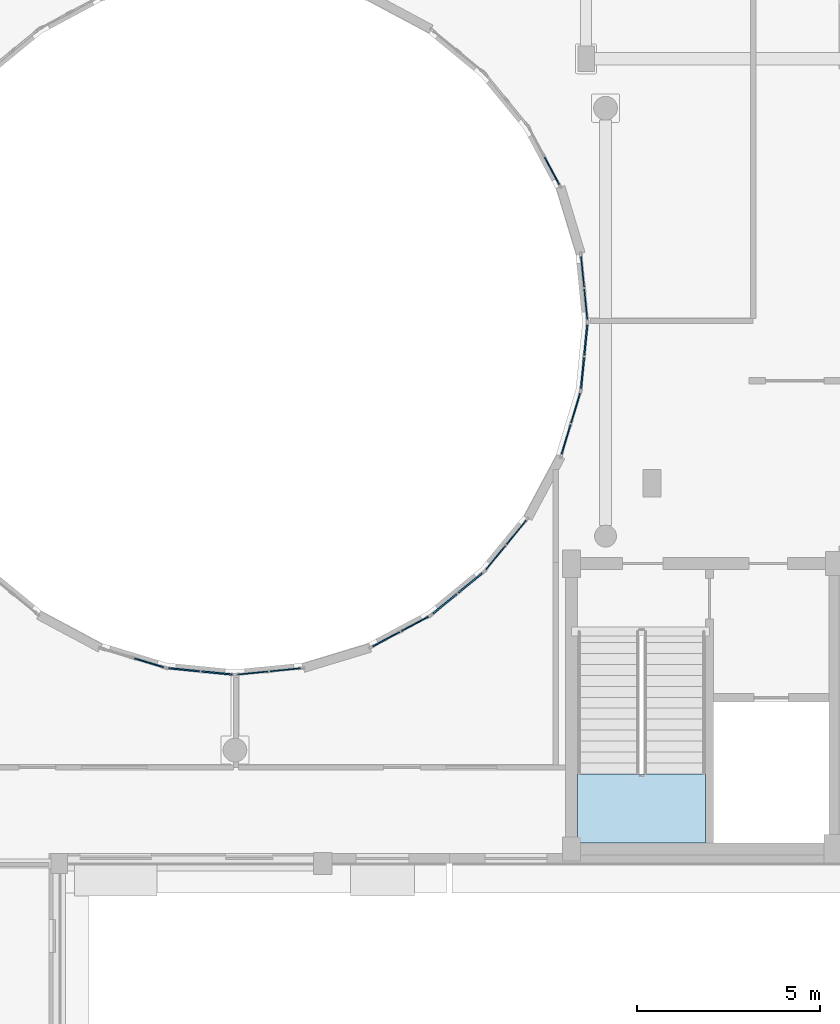
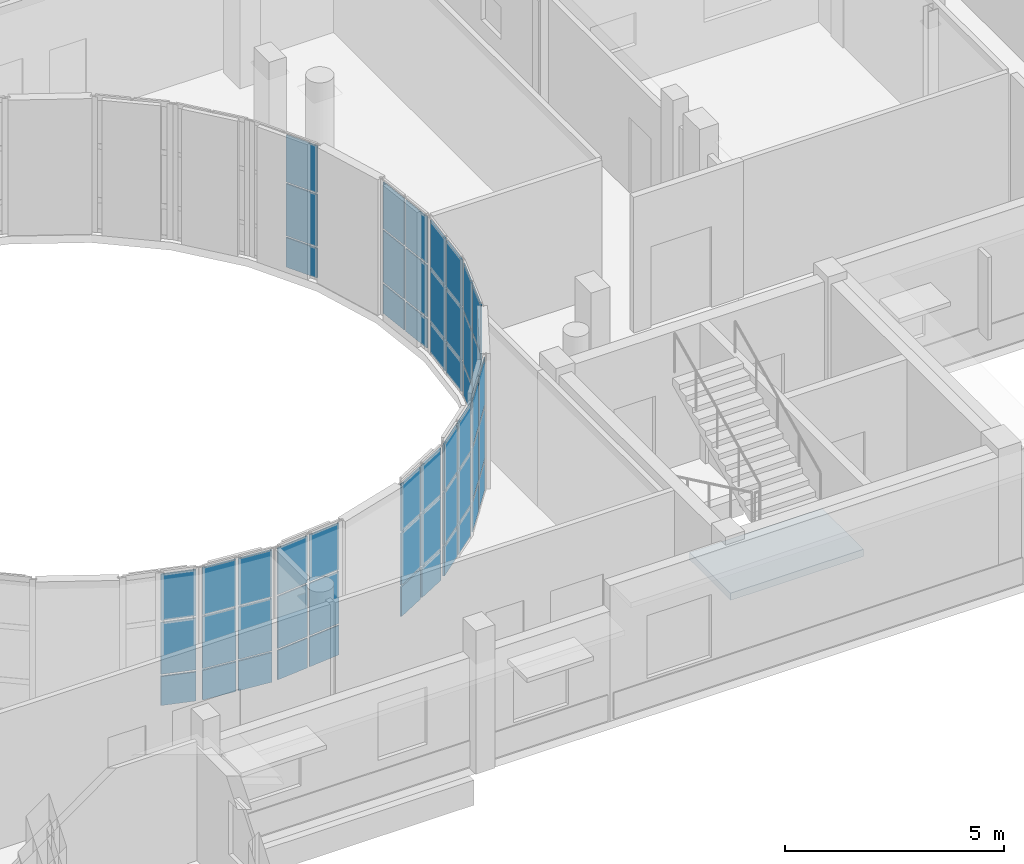
# One storey, part 68 of 105: 54 plates, 1 slab, 11 elements without a shape of their own.
"""IFC4 building model written with IfcOpenShell, lengths in metres."""

from ifc_helpers import new_model, si_unit, direction, frame, origin, origin_2d, place, context, subcontext, project, spatial, polyline, rectangle, outline, extrude, material, layer, layer_set, type_object, element, aggregate, save


model = new_model("IFC4")

# Units and contexts
model_context = context("Model", 3, precision=1e-05, world=origin(), true_north=direction((0.0, 1.0)))
body_context = subcontext(model_context, "Body", "Model", "MODEL_VIEW")
ifc_project = project(units=[si_unit("LENGTHUNIT", "METRE"), si_unit("AREAUNIT", "SQUARE_METRE"), si_unit("VOLUMEUNIT", "CUBIC_METRE"), si_unit("PLANEANGLEUNIT", "RADIAN"), si_unit("MASSUNIT", "GRAM", prefix="KILO")], contexts=[model_context])

# Site, building, storey
site_placement = place(None, origin())
site = spatial("IfcSite", under=ifc_project, at=site_placement, CompositionType="ELEMENT")
building_placement = place(site_placement, origin())
building = spatial("IfcBuilding", under=site, at=building_placement, Name="Kelanivale Promenade Academy", CompositionType="ELEMENT")
storey_placement = place(building_placement, frame((0.0, 0.0, 4.199951171875)))
storey = spatial("IfcBuildingStorey", under=building, at=storey_placement, Name="L01", CompositionType="ELEMENT", Elevation=4.199951171875)

# Curtain wall, plates
ifc_material_1 = material(Name="Bronze anodised aluminium and solar-control low-E glass", Category="aluminium")
ifc_layer_1 = layer(ifc_material_1, 0.169921875)
ifc_layer_set_1 = layer_set([ifc_layer_1], Name="Bronze anodised aluminium and solar-control low-E glass")
curtain_wall_type_1 = type_object("IfcCurtainWallType", Name="CW-22 Curtain Wall 1800mm Module", PredefinedType="USERDEFINED", material=ifc_layer_set_1)
curtain_wall_1_placement = place(storey_placement, origin())
curtain_wall_1 = element("IfcCurtainWall", 1, at=curtain_wall_1_placement, inside=storey, type_object=curtain_wall_type_1, Name="L01 courtyard curtain wall CW-22", ObjectType="COURTYARD SCREEN GLAZING", PredefinedType="USERDEFINED")
ifc_material_2 = material(Name="Solar-control double glazing 28 mm", Category="glass")
ifc_layer_2 = layer(ifc_material_2, 0.028076171875)
ifc_layer_set_2 = layer_set([ifc_layer_2], Name="Solar-control double glazing 28 mm")
plate_type_1 = type_object("IfcPlateType", Name="CWP-01 Plate 28mm", PredefinedType="CURTAIN_PANEL", material=ifc_layer_set_2)
plate_1_placement = place(storey_placement, frame((99.288330078125, 47.2080078125, 0.05029296875), z_axis=(0.0, 0.0, 1.0), x_axis=(0.99513321337, 0.098538762159, 0.0)))
plate_1 = element("IfcPlate", 2, at=plate_1_placement, type_object=plate_type_1, Name="CW-22 panel 1.1", PredefinedType="CURTAIN_PANEL", context=body_context, shape_type="SweptSolid", body=[
    extrude(rectangle(XDim=0.83349609375, YDim=0.028076171875, at=origin_2d()), origin(), (0.0, 0.0, 1.0), 0.824951171875),
])
plate_2_placement = place(storey_placement, frame((99.288330078125, 47.2080078125, 0.92529296875), z_axis=(0.0, 0.0, 1.0), x_axis=(0.99513321337, 0.098538762159, 0.0)))
plate_2 = element("IfcPlate", 3, at=plate_2_placement, type_object=plate_type_1, Name="CW-22 panel 1.2", PredefinedType="CURTAIN_PANEL", context=body_context, shape_type="SweptSolid", body=[
    extrude(rectangle(XDim=0.83349609375, YDim=0.028076171875, at=origin_2d()), origin(), (0.0, 0.0, 1.0), 1.449951171875),
])
plate_3_placement = place(storey_placement, frame((99.288330078125, 47.2080078125, 2.42529296875), z_axis=(0.0, 0.0, 1.0), x_axis=(0.99513321337, 0.098538762159, 0.0)))
plate_3 = element("IfcPlate", 4, at=plate_3_placement, type_object=plate_type_1, Name="CW-22 panel 1.3", PredefinedType="CURTAIN_PANEL", context=body_context, shape_type="SweptSolid", body=[
    extrude(rectangle(XDim=0.83349609375, YDim=0.028076171875, at=origin_2d()), origin(), (0.0, 0.0, 1.0), 1.304931640625),
])
plate_4_placement = place(storey_placement, frame((100.177490234375, 47.296142578125, 0.05029296875), z_axis=(0.0, 0.0, 1.0), x_axis=(0.99513321337, 0.098538762159, 0.0)))
plate_4 = element("IfcPlate", 5, at=plate_4_placement, type_object=plate_type_1, Name="CW-22 panel 2.1", PredefinedType="CURTAIN_PANEL", context=body_context, shape_type="SweptSolid", body=[
    extrude(rectangle(XDim=0.83349609375, YDim=0.028076171875, at=origin_2d()), origin(), (0.0, 0.0, 1.0), 0.824951171875),
])
plate_5_placement = place(storey_placement, frame((100.177490234375, 47.296142578125, 0.92529296875), z_axis=(0.0, 0.0, 1.0), x_axis=(0.99513321337, 0.098538762159, 0.0)))
plate_5 = element("IfcPlate", 6, at=plate_5_placement, type_object=plate_type_1, Name="CW-22 panel 2.2", PredefinedType="CURTAIN_PANEL", context=body_context, shape_type="SweptSolid", body=[
    extrude(rectangle(XDim=0.83349609375, YDim=0.028076171875, at=origin_2d()), origin(), (0.0, 0.0, 1.0), 1.449951171875),
])
plate_6_placement = place(storey_placement, frame((100.177490234375, 47.296142578125, 2.42529296875), z_axis=(0.0, 0.0, 1.0), x_axis=(0.99513321337, 0.098538762159, 0.0)))
plate_6 = element("IfcPlate", 7, at=plate_6_placement, type_object=plate_type_1, Name="CW-22 panel 2.3", PredefinedType="CURTAIN_PANEL", context=body_context, shape_type="SweptSolid", body=[
    extrude(rectangle(XDim=0.83349609375, YDim=0.028076171875, at=origin_2d()), origin(), (0.0, 0.0, 1.0), 1.304931640625),
])
aggregate(curtain_wall_1, [plate_1, plate_2, plate_3, plate_4, plate_5, plate_6])

ifc_layer_3 = layer(ifc_material_1, 0.169921875)
ifc_layer_set_3 = layer_set([ifc_layer_3], Name="Bronze anodised aluminium and solar-control low-E glass")
curtain_wall_type_2 = type_object("IfcCurtainWallType", Name="CW-01 Curtain Wall 1350mm Module", PredefinedType="USERDEFINED", material=ifc_layer_set_3)
curtain_wall_2_placement = place(storey_placement, origin())
curtain_wall_2 = element("IfcCurtainWall", 8, at=curtain_wall_2_placement, inside=storey, type_object=curtain_wall_type_2, Name="L01 courtyard curtain wall CW-01", ObjectType="UNITISED GLAZING", PredefinedType="USERDEFINED")
plate_7_placement = place(storey_placement, frame((105.92822265625, 50.361572265625, 0.05029296875), z_axis=(0.0, 0.0, 1.0), x_axis=(0.634092539482, 0.773257170269, 0.0)))
plate_7 = element("IfcPlate", 9, at=plate_7_placement, type_object=plate_type_1, Name="CW-01 panel 1.1", PredefinedType="CURTAIN_PANEL", context=body_context, shape_type="SweptSolid", body=[
    extrude(rectangle(XDim=0.833251953125, YDim=0.028076171875, at=origin_2d()), origin(), (0.0, 0.0, 1.0), 0.824951171875),
])
plate_8_placement = place(storey_placement, frame((105.92822265625, 50.361572265625, 0.92529296875), z_axis=(0.0, 0.0, 1.0), x_axis=(0.634092539482, 0.773257170269, 0.0)))
plate_8 = element("IfcPlate", 10, at=plate_8_placement, type_object=plate_type_1, Name="CW-01 panel 1.2", PredefinedType="CURTAIN_PANEL", context=body_context, shape_type="SweptSolid", body=[
    extrude(rectangle(XDim=0.833251953125, YDim=0.028076171875, at=origin_2d()), origin(), (0.0, 0.0, 1.0), 1.449951171875),
])
plate_9_placement = place(storey_placement, frame((105.92822265625, 50.361572265625, 2.42529296875), z_axis=(0.0, 0.0, 1.0), x_axis=(0.634092539482, 0.773257170269, 0.0)))
plate_9 = element("IfcPlate", 11, at=plate_9_placement, type_object=plate_type_1, Name="CW-01 panel 1.3", PredefinedType="CURTAIN_PANEL", context=body_context, shape_type="SweptSolid", body=[
    extrude(rectangle(XDim=0.833251953125, YDim=0.028076171875, at=origin_2d()), origin(), (0.0, 0.0, 1.0), 1.304931640625),
])
plate_10_placement = place(storey_placement, frame((106.49462890625, 51.052490234375, 0.05029296875), z_axis=(0.0, 0.0, 1.0), x_axis=(0.634092539482, 0.773257170269, 0.0)))
plate_10 = element("IfcPlate", 12, at=plate_10_placement, type_object=plate_type_1, Name="CW-01 panel 2.1", PredefinedType="CURTAIN_PANEL", context=body_context, shape_type="SweptSolid", body=[
    extrude(rectangle(XDim=0.833251953125, YDim=0.028076171875, at=origin_2d()), origin(), (0.0, 0.0, 1.0), 0.824951171875),
])
plate_11_placement = place(storey_placement, frame((106.49462890625, 51.052490234375, 0.92529296875), z_axis=(0.0, 0.0, 1.0), x_axis=(0.634092539482, 0.773257170269, 0.0)))
plate_11 = element("IfcPlate", 13, at=plate_11_placement, type_object=plate_type_1, Name="CW-01 panel 2.2", PredefinedType="CURTAIN_PANEL", context=body_context, shape_type="SweptSolid", body=[
    extrude(rectangle(XDim=0.833251953125, YDim=0.028076171875, at=origin_2d()), origin(), (0.0, 0.0, 1.0), 1.449951171875),
])
plate_12_placement = place(storey_placement, frame((106.49462890625, 51.052490234375, 2.42529296875), z_axis=(0.0, 0.0, 1.0), x_axis=(0.634092539482, 0.773257170269, 0.0)))
plate_12 = element("IfcPlate", 14, at=plate_12_placement, type_object=plate_type_1, Name="CW-01 panel 2.3", PredefinedType="CURTAIN_PANEL", context=body_context, shape_type="SweptSolid", body=[
    extrude(rectangle(XDim=0.833251953125, YDim=0.028076171875, at=origin_2d()), origin(), (0.0, 0.0, 1.0), 1.304931640625),
])
aggregate(curtain_wall_2, [plate_7, plate_8, plate_9, plate_10, plate_11, plate_12])

ifc_layer_4 = layer(ifc_material_1, 0.169921875)
ifc_layer_set_4 = layer_set([ifc_layer_4], Name="Bronze anodised aluminium and solar-control low-E glass")
curtain_wall_type_3 = type_object("IfcCurtainWallType", Name="CW-04 Curtain Wall 1800mm Module", PredefinedType="USERDEFINED", material=ifc_layer_set_4)
curtain_wall_3_placement = place(storey_placement, origin())
curtain_wall_3 = element("IfcCurtainWall", 15, at=curtain_wall_3_placement, inside=storey, type_object=curtain_wall_type_3, Name="L01 courtyard curtain wall CW-04", ObjectType="UNITISED GLAZING", PredefinedType="USERDEFINED")
plate_13_placement = place(storey_placement, frame((108.391845703125, 57.28955078125, 0.06005859375), z_axis=(0.0, 0.0, 1.0), x_axis=(-0.098538762159, 0.99513321337, 0.0)))
plate_13 = element("IfcPlate", 16, at=plate_13_placement, type_object=plate_type_1, Name="CW-04 panel 1.1", PredefinedType="CURTAIN_PANEL", context=body_context, shape_type="SweptSolid", body=[
    extrude(rectangle(XDim=0.825927734375, YDim=0.028076171875, at=origin_2d()), origin(), (0.0, 0.0, 1.0), 0.81005859375),
])
plate_14_placement = place(storey_placement, frame((108.391845703125, 57.28955078125, 0.93017578125), z_axis=(0.0, 0.0, 1.0), x_axis=(-0.098538762159, 0.99513321337, 0.0)))
plate_14 = element("IfcPlate", 17, at=plate_14_placement, type_object=plate_type_1, Name="CW-04 panel 1.2", PredefinedType="CURTAIN_PANEL", context=body_context, shape_type="SweptSolid", body=[
    extrude(rectangle(XDim=0.825927734375, YDim=0.028076171875, at=origin_2d()), origin(), (0.0, 0.0, 1.0), 1.43994140625),
])
plate_15_placement = place(storey_placement, frame((108.391845703125, 57.28955078125, 2.429931640625), z_axis=(0.0, 0.0, 1.0), x_axis=(-0.098538762159, 0.99513321337, 0.0)))
plate_15 = element("IfcPlate", 18, at=plate_15_placement, type_object=plate_type_1, Name="CW-04 panel 1.3", PredefinedType="CURTAIN_PANEL", context=body_context, shape_type="SweptSolid", body=[
    extrude(rectangle(XDim=0.825927734375, YDim=0.028076171875, at=origin_2d()), origin(), (0.0, 0.0, 1.0), 1.2900390625),
])
plate_16_placement = place(storey_placement, frame((108.30419921875, 58.17626953125, 0.06005859375), z_axis=(0.0, 0.0, 1.0), x_axis=(-0.098538762159, 0.99513321337, 0.0)))
plate_16 = element("IfcPlate", 19, at=plate_16_placement, type_object=plate_type_1, Name="CW-04 panel 2.1", PredefinedType="CURTAIN_PANEL", context=body_context, shape_type="SweptSolid", body=[
    extrude(rectangle(XDim=0.825927734375, YDim=0.028076171875, at=origin_2d()), origin(), (0.0, 0.0, 1.0), 0.81005859375),
])
plate_17_placement = place(storey_placement, frame((108.30419921875, 58.17626953125, 0.93017578125), z_axis=(0.0, 0.0, 1.0), x_axis=(-0.098538762159, 0.99513321337, 0.0)))
plate_17 = element("IfcPlate", 20, at=plate_17_placement, type_object=plate_type_1, Name="CW-04 panel 2.2", PredefinedType="CURTAIN_PANEL", context=body_context, shape_type="SweptSolid", body=[
    extrude(rectangle(XDim=0.825927734375, YDim=0.028076171875, at=origin_2d()), origin(), (0.0, 0.0, 1.0), 1.43994140625),
])
plate_18_placement = place(storey_placement, frame((108.30419921875, 58.17626953125, 2.429931640625), z_axis=(0.0, 0.0, 1.0), x_axis=(-0.098538762159, 0.99513321337, 0.0)))
plate_18 = element("IfcPlate", 21, at=plate_18_placement, type_object=plate_type_1, Name="CW-04 panel 2.3", PredefinedType="CURTAIN_PANEL", context=body_context, shape_type="SweptSolid", body=[
    extrude(rectangle(XDim=0.825927734375, YDim=0.028076171875, at=origin_2d()), origin(), (0.0, 0.0, 1.0), 1.2900390625),
])
aggregate(curtain_wall_3, [plate_13, plate_14, plate_15, plate_16, plate_17, plate_18])

ifc_layer_5 = layer(ifc_material_1, 0.179931640625)
ifc_layer_set_5 = layer_set([ifc_layer_5], Name="Bronze anodised aluminium and solar-control low-E glass")
curtain_wall_type_4 = type_object("IfcCurtainWallType", Name="CW-05 Curtain Wall 1950mm Module", PredefinedType="USERDEFINED", material=ifc_layer_set_5)
curtain_wall_4_placement = place(storey_placement, origin())
curtain_wall_4 = element("IfcCurtainWall", 22, at=curtain_wall_4_placement, inside=storey, type_object=curtain_wall_type_4, Name="L01 courtyard curtain wall CW-05", ObjectType="UNITISED GLAZING", PredefinedType="USERDEFINED")
ifc_material_3 = material(Name="Acoustic laminated double glazing 36 mm", Category="glass")
ifc_layer_6 = layer(ifc_material_3, 0.035888671875)
ifc_layer_set_6 = layer_set([ifc_layer_6], Name="Acoustic laminated double glazing 36 mm")
plate_type_2 = type_object("IfcPlateType", Name="CWP-02 Plate 36mm", PredefinedType="CURTAIN_PANEL", material=ifc_layer_set_6)
plate_19_placement = place(storey_placement, frame((107.46826171875, 60.934814453125, 0.05029296875), z_axis=(0.0, 0.0, 1.0), x_axis=(-0.471290193914, 0.881978204448, 0.0)))
plate_19 = element("IfcPlate", 23, at=plate_19_placement, type_object=plate_type_2, Name="CW-05 panel 1.1", PredefinedType="CURTAIN_PANEL", context=body_context, shape_type="SweptSolid", body=[
    extrude(rectangle(XDim=0.833984375, YDim=0.035888671875, at=origin_2d()), origin(), (0.0, 0.0, 1.0), 0.824951171875),
])
plate_20_placement = place(storey_placement, frame((107.46826171875, 60.934814453125, 0.92529296875), z_axis=(0.0, 0.0, 1.0), x_axis=(-0.471290193914, 0.881978204448, 0.0)))
plate_20 = element("IfcPlate", 24, at=plate_20_placement, type_object=plate_type_2, Name="CW-05 panel 1.2", PredefinedType="CURTAIN_PANEL", context=body_context, shape_type="SweptSolid", body=[
    extrude(rectangle(XDim=0.833984375, YDim=0.035888671875, at=origin_2d()), origin(), (0.0, 0.0, 1.0), 1.449951171875),
])
plate_21_placement = place(storey_placement, frame((107.46826171875, 60.934814453125, 2.42529296875), z_axis=(0.0, 0.0, 1.0), x_axis=(-0.471290193914, 0.881978204448, 0.0)))
plate_21 = element("IfcPlate", 25, at=plate_21_placement, type_object=plate_type_2, Name="CW-05 panel 1.3", PredefinedType="CURTAIN_PANEL", context=body_context, shape_type="SweptSolid", body=[
    extrude(rectangle(XDim=0.833984375, YDim=0.035888671875, at=origin_2d()), origin(), (0.0, 0.0, 1.0), 1.304931640625),
])
aggregate(curtain_wall_4, [plate_19, plate_20, plate_21])

ifc_layer_7 = layer(ifc_material_1, 0.179931640625)
ifc_layer_set_7 = layer_set([ifc_layer_7], Name="Bronze anodised aluminium and solar-control low-E glass")
curtain_wall_type_5 = type_object("IfcCurtainWallType", Name="CW-20 Curtain Wall 1500mm Module", PredefinedType="USERDEFINED", material=ifc_layer_set_7)
curtain_wall_5_placement = place(storey_placement, origin())
curtain_wall_5 = element("IfcCurtainWall", 26, at=curtain_wall_5_placement, inside=storey, type_object=curtain_wall_type_5, Name="L01 courtyard curtain wall CW-20", ObjectType="COURTYARD SCREEN GLAZING", PredefinedType="USERDEFINED")
plate_22_placement = place(storey_placement, frame((96.448486328125, 47.48779296875, 0.06005859375), z_axis=(0.0, 0.0, 1.0), x_axis=(0.956987977524, -0.290127576893, 0.0)))
plate_22 = element("IfcPlate", 27, at=plate_22_placement, type_object=plate_type_2, Name="CW-20 panel 2.1", PredefinedType="CURTAIN_PANEL", context=body_context, shape_type="SweptSolid", body=[
    extrude(rectangle(XDim=0.826171875, YDim=0.035888671875, at=origin_2d()), origin(), (0.0, 0.0, 1.0), 0.81005859375),
])
plate_23_placement = place(storey_placement, frame((96.448486328125, 47.48779296875, 0.93017578125), z_axis=(0.0, 0.0, 1.0), x_axis=(0.956987977524, -0.290127576893, 0.0)))
plate_23 = element("IfcPlate", 28, at=plate_23_placement, type_object=plate_type_2, Name="CW-20 panel 2.2", PredefinedType="CURTAIN_PANEL", context=body_context, shape_type="SweptSolid", body=[
    extrude(rectangle(XDim=0.826171875, YDim=0.035888671875, at=origin_2d()), origin(), (0.0, 0.0, 1.0), 1.43994140625),
])
plate_24_placement = place(storey_placement, frame((96.448486328125, 47.48779296875, 2.429931640625), z_axis=(0.0, 0.0, 1.0), x_axis=(0.956987977524, -0.290127576893, 0.0)))
plate_24 = element("IfcPlate", 29, at=plate_24_placement, type_object=plate_type_2, Name="CW-20 panel 2.3", PredefinedType="CURTAIN_PANEL", context=body_context, shape_type="SweptSolid", body=[
    extrude(rectangle(XDim=0.826171875, YDim=0.035888671875, at=origin_2d()), origin(), (0.0, 0.0, 1.0), 1.2900390625),
])
aggregate(curtain_wall_5, [plate_22, plate_23, plate_24])

ifc_layer_8 = layer(ifc_material_1, 0.179931640625)
ifc_layer_set_8 = layer_set([ifc_layer_8], Name="Bronze anodised aluminium and solar-control low-E glass")
curtain_wall_type_6 = type_object("IfcCurtainWallType", Name="CW-23 Curtain Wall 1950mm Module", PredefinedType="USERDEFINED", material=ifc_layer_set_8)
curtain_wall_6_placement = place(storey_placement, origin())
curtain_wall_6 = element("IfcCurtainWall", 30, at=curtain_wall_6_placement, inside=storey, type_object=curtain_wall_type_6, Name="L01 courtyard curtain wall CW-23", ObjectType="COURTYARD SCREEN GLAZING", PredefinedType="USERDEFINED")
plate_25_placement = place(storey_placement, frame((102.935791015625, 48.13232421875, 0.05029296875), z_axis=(0.0, 0.0, 1.0), x_axis=(0.881978204448, 0.471290193914, 0.0)))
plate_25 = element("IfcPlate", 31, at=plate_25_placement, type_object=plate_type_2, Name="CW-23 panel 1.1", PredefinedType="CURTAIN_PANEL", context=body_context, shape_type="SweptSolid", body=[
    extrude(rectangle(XDim=0.82666015625, YDim=0.035888671875, at=origin_2d()), origin(), (0.0, 0.0, 1.0), 0.824951171875),
])
plate_26_placement = place(storey_placement, frame((102.935791015625, 48.13232421875, 0.92529296875), z_axis=(0.0, 0.0, 1.0), x_axis=(0.881978204448, 0.471290193914, 0.0)))
plate_26 = element("IfcPlate", 32, at=plate_26_placement, type_object=plate_type_2, Name="CW-23 panel 1.2", PredefinedType="CURTAIN_PANEL", context=body_context, shape_type="SweptSolid", body=[
    extrude(rectangle(XDim=0.82666015625, YDim=0.035888671875, at=origin_2d()), origin(), (0.0, 0.0, 1.0), 1.449951171875),
])
plate_27_placement = place(storey_placement, frame((102.935791015625, 48.13232421875, 2.42529296875), z_axis=(0.0, 0.0, 1.0), x_axis=(0.881978204448, 0.471290193914, 0.0)))
plate_27 = element("IfcPlate", 33, at=plate_27_placement, type_object=plate_type_2, Name="CW-23 panel 1.3", PredefinedType="CURTAIN_PANEL", context=body_context, shape_type="SweptSolid", body=[
    extrude(rectangle(XDim=0.82666015625, YDim=0.035888671875, at=origin_2d()), origin(), (0.0, 0.0, 1.0), 1.304931640625),
])
plate_28_placement = place(storey_placement, frame((103.72216796875, 48.552490234375, 0.05029296875), z_axis=(0.0, 0.0, 1.0), x_axis=(0.881978204448, 0.471290193914, 0.0)))
plate_28 = element("IfcPlate", 34, at=plate_28_placement, type_object=plate_type_2, Name="CW-23 panel 2.1", PredefinedType="CURTAIN_PANEL", context=body_context, shape_type="SweptSolid", body=[
    extrude(rectangle(XDim=0.82666015625, YDim=0.035888671875, at=origin_2d()), origin(), (0.0, 0.0, 1.0), 0.824951171875),
])
plate_29_placement = place(storey_placement, frame((103.72216796875, 48.552490234375, 0.92529296875), z_axis=(0.0, 0.0, 1.0), x_axis=(0.881978204448, 0.471290193914, 0.0)))
plate_29 = element("IfcPlate", 35, at=plate_29_placement, type_object=plate_type_2, Name="CW-23 panel 2.2", PredefinedType="CURTAIN_PANEL", context=body_context, shape_type="SweptSolid", body=[
    extrude(rectangle(XDim=0.82666015625, YDim=0.035888671875, at=origin_2d()), origin(), (0.0, 0.0, 1.0), 1.449951171875),
])
plate_30_placement = place(storey_placement, frame((103.72216796875, 48.552490234375, 2.42529296875), z_axis=(0.0, 0.0, 1.0), x_axis=(0.881978204448, 0.471290193914, 0.0)))
plate_30 = element("IfcPlate", 36, at=plate_30_placement, type_object=plate_type_2, Name="CW-23 panel 2.3", PredefinedType="CURTAIN_PANEL", context=body_context, shape_type="SweptSolid", body=[
    extrude(rectangle(XDim=0.82666015625, YDim=0.035888671875, at=origin_2d()), origin(), (0.0, 0.0, 1.0), 1.304931640625),
])
aggregate(curtain_wall_6, [plate_25, plate_26, plate_27, plate_28, plate_29, plate_30])

ifc_layer_9 = layer(ifc_material_1, 0.179931640625)
ifc_layer_set_9 = layer_set([ifc_layer_9], Name="Bronze anodised aluminium and solar-control low-E glass")
curtain_wall_type_7 = type_object("IfcCurtainWallType", Name="CW-02 Curtain Wall 1500mm Module", PredefinedType="USERDEFINED", material=ifc_layer_set_9)
curtain_wall_7_placement = place(storey_placement, origin())
curtain_wall_7 = element("IfcCurtainWall", 37, at=curtain_wall_7_placement, inside=storey, type_object=curtain_wall_type_7, Name="L01 courtyard curtain wall CW-02", ObjectType="UNITISED GLAZING", PredefinedType="USERDEFINED")
plate_31_placement = place(storey_placement, frame((107.853271484375, 53.59423828125, 0.05029296875), z_axis=(0.0, 0.0, 1.0), x_axis=(0.290127576893, 0.956987977524, 0.0)))
plate_31 = element("IfcPlate", 38, at=plate_31_placement, type_object=plate_type_2, Name="CW-02 panel 1.1", PredefinedType="CURTAIN_PANEL", context=body_context, shape_type="SweptSolid", body=[
    extrude(rectangle(XDim=0.833740234375, YDim=0.035888671875, at=origin_2d()), origin(), (0.0, 0.0, 1.0), 0.824951171875),
])
plate_32_placement = place(storey_placement, frame((107.853271484375, 53.59423828125, 0.92529296875), z_axis=(0.0, 0.0, 1.0), x_axis=(0.290127576893, 0.956987977524, 0.0)))
plate_32 = element("IfcPlate", 39, at=plate_32_placement, type_object=plate_type_2, Name="CW-02 panel 1.2", PredefinedType="CURTAIN_PANEL", context=body_context, shape_type="SweptSolid", body=[
    extrude(rectangle(XDim=0.833740234375, YDim=0.035888671875, at=origin_2d()), origin(), (0.0, 0.0, 1.0), 1.449951171875),
])
plate_33_placement = place(storey_placement, frame((107.853271484375, 53.59423828125, 2.42529296875), z_axis=(0.0, 0.0, 1.0), x_axis=(0.290127576893, 0.956987977524, 0.0)))
plate_33 = element("IfcPlate", 40, at=plate_33_placement, type_object=plate_type_2, Name="CW-02 panel 1.3", PredefinedType="CURTAIN_PANEL", context=body_context, shape_type="SweptSolid", body=[
    extrude(rectangle(XDim=0.833740234375, YDim=0.035888671875, at=origin_2d()), origin(), (0.0, 0.0, 1.0), 1.304931640625),
])
plate_34_placement = place(storey_placement, frame((108.112548828125, 54.44970703125, 0.05029296875), z_axis=(0.0, 0.0, 1.0), x_axis=(0.290127576893, 0.956987977524, 0.0)))
plate_34 = element("IfcPlate", 41, at=plate_34_placement, type_object=plate_type_2, Name="CW-02 panel 2.1", PredefinedType="CURTAIN_PANEL", context=body_context, shape_type="SweptSolid", body=[
    extrude(rectangle(XDim=0.833740234375, YDim=0.035888671875, at=origin_2d()), origin(), (0.0, 0.0, 1.0), 0.824951171875),
])
plate_35_placement = place(storey_placement, frame((108.112548828125, 54.44970703125, 0.92529296875), z_axis=(0.0, 0.0, 1.0), x_axis=(0.290127576893, 0.956987977524, 0.0)))
plate_35 = element("IfcPlate", 42, at=plate_35_placement, type_object=plate_type_2, Name="CW-02 panel 2.2", PredefinedType="CURTAIN_PANEL", context=body_context, shape_type="SweptSolid", body=[
    extrude(rectangle(XDim=0.833740234375, YDim=0.035888671875, at=origin_2d()), origin(), (0.0, 0.0, 1.0), 1.449951171875),
])
plate_36_placement = place(storey_placement, frame((108.112548828125, 54.44970703125, 2.42529296875), z_axis=(0.0, 0.0, 1.0), x_axis=(0.290127576893, 0.956987977524, 0.0)))
plate_36 = element("IfcPlate", 43, at=plate_36_placement, type_object=plate_type_2, Name="CW-02 panel 2.3", PredefinedType="CURTAIN_PANEL", context=body_context, shape_type="SweptSolid", body=[
    extrude(rectangle(XDim=0.833740234375, YDim=0.035888671875, at=origin_2d()), origin(), (0.0, 0.0, 1.0), 1.304931640625),
])
aggregate(curtain_wall_7, [plate_31, plate_32, plate_33, plate_34, plate_35, plate_36])

ifc_layer_10 = layer(ifc_material_1, 0.159912109375)
ifc_layer_set_10 = layer_set([ifc_layer_10], Name="Bronze anodised aluminium and solar-control low-E glass")
curtain_wall_type_8 = type_object("IfcCurtainWallType", Name="CW-21 Curtain Wall 1650mm Module", PredefinedType="USERDEFINED", material=ifc_layer_set_10)
curtain_wall_8_placement = place(storey_placement, origin())
curtain_wall_8 = element("IfcCurtainWall", 44, at=curtain_wall_8_placement, inside=storey, type_object=curtain_wall_type_8, Name="L01 courtyard curtain wall CW-21", ObjectType="COURTYARD SCREEN GLAZING", PredefinedType="USERDEFINED")
ifc_material_4 = material(Name="Insulated bronze aluminium spandrel panel 44 mm", Category="aluminium")
ifc_layer_11 = layer(ifc_material_4, 0.0439453125)
ifc_layer_set_11 = layer_set([ifc_layer_11], Name="Insulated bronze aluminium spandrel panel 44 mm")
plate_type_3 = type_object("IfcPlateType", Name="CWP-03 Plate 44mm", PredefinedType="CURTAIN_PANEL", material=ifc_layer_set_11)
plate_37_placement = place(storey_placement, frame((97.4111328125, 47.296875, 0.05029296875), z_axis=(0.0, 0.0, 1.0), x_axis=(0.995158737767, -0.098280652454, 0.0)))
plate_37 = element("IfcPlate", 45, at=plate_37_placement, type_object=plate_type_3, Name="CW-21 panel 1.1", PredefinedType="CURTAIN_PANEL", context=body_context, shape_type="SweptSolid", body=[
    extrude(rectangle(XDim=0.841064453125, YDim=0.0439453125, at=origin_2d()), origin(), (0.0, 0.0, 1.0), 0.824951171875),
])
plate_38_placement = place(storey_placement, frame((97.4111328125, 47.296875, 0.92529296875), z_axis=(0.0, 0.0, 1.0), x_axis=(0.995158737767, -0.098280652454, 0.0)))
plate_38 = element("IfcPlate", 46, at=plate_38_placement, type_object=plate_type_3, Name="CW-21 panel 1.2", PredefinedType="CURTAIN_PANEL", context=body_context, shape_type="SweptSolid", body=[
    extrude(rectangle(XDim=0.841064453125, YDim=0.0439453125, at=origin_2d()), origin(), (0.0, 0.0, 1.0), 1.449951171875),
])
plate_39_placement = place(storey_placement, frame((97.4111328125, 47.296875, 2.42529296875), z_axis=(0.0, 0.0, 1.0), x_axis=(0.995158737767, -0.098280652454, 0.0)))
plate_39 = element("IfcPlate", 47, at=plate_39_placement, type_object=plate_type_3, Name="CW-21 panel 1.3", PredefinedType="CURTAIN_PANEL", context=body_context, shape_type="SweptSolid", body=[
    extrude(rectangle(XDim=0.841064453125, YDim=0.0439453125, at=origin_2d()), origin(), (0.0, 0.0, 1.0), 1.304931640625),
])
plate_40_placement = place(storey_placement, frame((98.307861328125, 47.208251953125, 0.05029296875), z_axis=(0.0, 0.0, 1.0), x_axis=(0.995158737767, -0.098280652454, 0.0)))
plate_40 = element("IfcPlate", 48, at=plate_40_placement, type_object=plate_type_3, Name="CW-21 panel 2.1", PredefinedType="CURTAIN_PANEL", context=body_context, shape_type="SweptSolid", body=[
    extrude(rectangle(XDim=0.841064453125, YDim=0.0439453125, at=origin_2d()), origin(), (0.0, 0.0, 1.0), 0.824951171875),
])
plate_41_placement = place(storey_placement, frame((98.307861328125, 47.208251953125, 0.92529296875), z_axis=(0.0, 0.0, 1.0), x_axis=(0.995158737767, -0.098280652454, 0.0)))
plate_41 = element("IfcPlate", 49, at=plate_41_placement, type_object=plate_type_3, Name="CW-21 panel 2.2", PredefinedType="CURTAIN_PANEL", context=body_context, shape_type="SweptSolid", body=[
    extrude(rectangle(XDim=0.841064453125, YDim=0.0439453125, at=origin_2d()), origin(), (0.0, 0.0, 1.0), 1.449951171875),
])
plate_42_placement = place(storey_placement, frame((98.307861328125, 47.208251953125, 2.42529296875), z_axis=(0.0, 0.0, 1.0), x_axis=(0.995158737767, -0.098280652454, 0.0)))
plate_42 = element("IfcPlate", 50, at=plate_42_placement, type_object=plate_type_3, Name="CW-21 panel 2.3", PredefinedType="CURTAIN_PANEL", context=body_context, shape_type="SweptSolid", body=[
    extrude(rectangle(XDim=0.841064453125, YDim=0.0439453125, at=origin_2d()), origin(), (0.0, 0.0, 1.0), 1.304931640625),
])
aggregate(curtain_wall_8, [plate_37, plate_38, plate_39, plate_40, plate_41, plate_42])

ifc_layer_12 = layer(ifc_material_1, 0.159912109375)
ifc_layer_set_12 = layer_set([ifc_layer_12], Name="Bronze anodised aluminium and solar-control low-E glass")
curtain_wall_type_9 = type_object("IfcCurtainWallType", Name="CW-24 Curtain Wall 1200mm Module", PredefinedType="USERDEFINED", material=ifc_layer_set_12)
curtain_wall_9_placement = place(storey_placement, origin())
curtain_wall_9 = element("IfcCurtainWall", 51, at=curtain_wall_9_placement, inside=storey, type_object=curtain_wall_type_9, Name="L01 courtyard curtain wall CW-24", ObjectType="COURTYARD SCREEN GLAZING", PredefinedType="USERDEFINED")
plate_43_placement = place(storey_placement, frame((104.53955078125, 49.0986328125, 0.06005859375), z_axis=(0.0, 0.0, 1.0), x_axis=(0.773215132597, 0.634143799719, 0.0)))
plate_43 = element("IfcPlate", 52, at=plate_43_placement, type_object=plate_type_3, Name="CW-24 panel 1.1", PredefinedType="CURTAIN_PANEL", context=body_context, shape_type="SweptSolid", body=[
    extrude(rectangle(XDim=0.833740234375, YDim=0.0439453125, at=origin_2d()), origin(), (0.0, 0.0, 1.0), 0.81005859375),
])
plate_44_placement = place(storey_placement, frame((104.53955078125, 49.0986328125, 0.93017578125), z_axis=(0.0, 0.0, 1.0), x_axis=(0.773215132597, 0.634143799719, 0.0)))
plate_44 = element("IfcPlate", 53, at=plate_44_placement, type_object=plate_type_3, Name="CW-24 panel 1.2", PredefinedType="CURTAIN_PANEL", context=body_context, shape_type="SweptSolid", body=[
    extrude(rectangle(XDim=0.833740234375, YDim=0.0439453125, at=origin_2d()), origin(), (0.0, 0.0, 1.0), 1.43994140625),
])
plate_45_placement = place(storey_placement, frame((104.53955078125, 49.0986328125, 2.429931640625), z_axis=(0.0, 0.0, 1.0), x_axis=(0.773215132597, 0.634143799719, 0.0)))
plate_45 = element("IfcPlate", 54, at=plate_45_placement, type_object=plate_type_3, Name="CW-24 panel 1.3", PredefinedType="CURTAIN_PANEL", context=body_context, shape_type="SweptSolid", body=[
    extrude(rectangle(XDim=0.833740234375, YDim=0.0439453125, at=origin_2d()), origin(), (0.0, 0.0, 1.0), 1.2900390625),
])
plate_46_placement = place(storey_placement, frame((105.234375, 49.66845703125, 0.06005859375), z_axis=(0.0, 0.0, 1.0), x_axis=(0.773215132597, 0.634143799719, 0.0)))
plate_46 = element("IfcPlate", 55, at=plate_46_placement, type_object=plate_type_3, Name="CW-24 panel 2.1", PredefinedType="CURTAIN_PANEL", context=body_context, shape_type="SweptSolid", body=[
    extrude(rectangle(XDim=0.833740234375, YDim=0.0439453125, at=origin_2d()), origin(), (0.0, 0.0, 1.0), 0.81005859375),
])
plate_47_placement = place(storey_placement, frame((105.234375, 49.66845703125, 0.93017578125), z_axis=(0.0, 0.0, 1.0), x_axis=(0.773215132597, 0.634143799719, 0.0)))
plate_47 = element("IfcPlate", 56, at=plate_47_placement, type_object=plate_type_3, Name="CW-24 panel 2.2", PredefinedType="CURTAIN_PANEL", context=body_context, shape_type="SweptSolid", body=[
    extrude(rectangle(XDim=0.833740234375, YDim=0.0439453125, at=origin_2d()), origin(), (0.0, 0.0, 1.0), 1.43994140625),
])
plate_48_placement = place(storey_placement, frame((105.234375, 49.66845703125, 2.429931640625), z_axis=(0.0, 0.0, 1.0), x_axis=(0.773215132597, 0.634143799719, 0.0)))
plate_48 = element("IfcPlate", 57, at=plate_48_placement, type_object=plate_type_3, Name="CW-24 panel 2.3", PredefinedType="CURTAIN_PANEL", context=body_context, shape_type="SweptSolid", body=[
    extrude(rectangle(XDim=0.833740234375, YDim=0.0439453125, at=origin_2d()), origin(), (0.0, 0.0, 1.0), 1.2900390625),
])
aggregate(curtain_wall_9, [plate_43, plate_44, plate_45, plate_46, plate_47, plate_48])

ifc_layer_13 = layer(ifc_material_1, 0.159912109375)
ifc_layer_set_13 = layer_set([ifc_layer_13], Name="Bronze anodised aluminium and solar-control low-E glass")
curtain_wall_type_10 = type_object("IfcCurtainWallType", Name="CW-03 Curtain Wall 1650mm Module", PredefinedType="USERDEFINED", material=ifc_layer_set_13)
curtain_wall_10_placement = place(storey_placement, origin())
curtain_wall_10 = element("IfcCurtainWall", 58, at=curtain_wall_10_placement, inside=storey, type_object=curtain_wall_type_10, Name="L01 courtyard curtain wall CW-03", ObjectType="UNITISED GLAZING", PredefinedType="USERDEFINED")
plate_49_placement = place(storey_placement, frame((108.303466796875, 55.412353515625, 0.05029296875), z_axis=(0.0, 0.0, 1.0), x_axis=(0.098280652454, 0.995158737767, 0.0)))
plate_49 = element("IfcPlate", 59, at=plate_49_placement, type_object=plate_type_3, Name="CW-03 panel 1.1", PredefinedType="CURTAIN_PANEL", context=body_context, shape_type="SweptSolid", body=[
    extrude(rectangle(XDim=0.83349609375, YDim=0.0439453125, at=origin_2d()), origin(), (0.0, 0.0, 1.0), 0.824951171875),
])
plate_50_placement = place(storey_placement, frame((108.303466796875, 55.412353515625, 0.92529296875), z_axis=(0.0, 0.0, 1.0), x_axis=(0.098280652454, 0.995158737767, 0.0)))
plate_50 = element("IfcPlate", 60, at=plate_50_placement, type_object=plate_type_3, Name="CW-03 panel 1.2", PredefinedType="CURTAIN_PANEL", context=body_context, shape_type="SweptSolid", body=[
    extrude(rectangle(XDim=0.83349609375, YDim=0.0439453125, at=origin_2d()), origin(), (0.0, 0.0, 1.0), 1.449951171875),
])
plate_51_placement = place(storey_placement, frame((108.303466796875, 55.412353515625, 2.42529296875), z_axis=(0.0, 0.0, 1.0), x_axis=(0.098280652454, 0.995158737767, 0.0)))
plate_51 = element("IfcPlate", 61, at=plate_51_placement, type_object=plate_type_3, Name="CW-03 panel 1.3", PredefinedType="CURTAIN_PANEL", context=body_context, shape_type="SweptSolid", body=[
    extrude(rectangle(XDim=0.83349609375, YDim=0.0439453125, at=origin_2d()), origin(), (0.0, 0.0, 1.0), 1.304931640625),
])
plate_52_placement = place(storey_placement, frame((108.3916015625, 56.306640625, 0.05029296875), z_axis=(0.0, 0.0, 1.0), x_axis=(0.098280652454, 0.995158737767, 0.0)))
plate_52 = element("IfcPlate", 62, at=plate_52_placement, type_object=plate_type_3, Name="CW-03 panel 2.1", PredefinedType="CURTAIN_PANEL", context=body_context, shape_type="SweptSolid", body=[
    extrude(rectangle(XDim=0.83349609375, YDim=0.0439453125, at=origin_2d()), origin(), (0.0, 0.0, 1.0), 0.824951171875),
])
plate_53_placement = place(storey_placement, frame((108.3916015625, 56.306640625, 0.92529296875), z_axis=(0.0, 0.0, 1.0), x_axis=(0.098280652454, 0.995158737767, 0.0)))
plate_53 = element("IfcPlate", 63, at=plate_53_placement, type_object=plate_type_3, Name="CW-03 panel 2.2", PredefinedType="CURTAIN_PANEL", context=body_context, shape_type="SweptSolid", body=[
    extrude(rectangle(XDim=0.83349609375, YDim=0.0439453125, at=origin_2d()), origin(), (0.0, 0.0, 1.0), 1.449951171875),
])
plate_54_placement = place(storey_placement, frame((108.3916015625, 56.306640625, 2.42529296875), z_axis=(0.0, 0.0, 1.0), x_axis=(0.098280652454, 0.995158737767, 0.0)))
plate_54 = element("IfcPlate", 64, at=plate_54_placement, type_object=plate_type_3, Name="CW-03 panel 2.3", PredefinedType="CURTAIN_PANEL", context=body_context, shape_type="SweptSolid", body=[
    extrude(rectangle(XDim=0.83349609375, YDim=0.0439453125, at=origin_2d()), origin(), (0.0, 0.0, 1.0), 1.304931640625),
])
aggregate(curtain_wall_10, [plate_49, plate_50, plate_51, plate_52, plate_53, plate_54])

# Stair, slab
ifc_material_5 = material(Name="Concrete C35/45", Category="concrete")
stair_type = type_object("IfcStairType", Name="ST-T02 Protected dog-leg upper-storey stair", PredefinedType="HALF_TURN_STAIR", material=ifc_material_5)
stair_placement = place(storey_placement, origin())
stair = element("IfcStair", 65, at=stair_placement, inside=storey, type_object=stair_type, Name="L01 ST-03", PredefinedType="HALF_TURN_STAIR")
ifc_layer_14 = layer(ifc_material_5, 0.199951171875)
ifc_layer_set_14 = layer_set([ifc_layer_14], Name="Concrete C35/45")
slab_type = type_object("IfcSlabType", Name="LS-01 Slab 200mm", PredefinedType="LANDING", material=ifc_layer_set_14)
slab_placement = place(storey_placement, frame((0.0, 0.0, 1.800048828125)))
slab = element("IfcSlab", 66, at=slab_placement, type_object=slab_type, Name="ST-03 landing 1", PredefinedType="LANDING", context=body_context, shape_type="SweptSolid", body=[
    extrude(outline(polyline([(108.1650390625, 44.445068359375), (108.1650390625, 42.56494140625), (111.6650390625, 42.56494140625), (111.6650390625, 44.445068359375), (108.1650390625, 44.445068359375)])), origin(), (0.0, 0.0, 1.0), 0.199951171875),
])
aggregate(stair, [slab])

save(model, "model.ifc")
